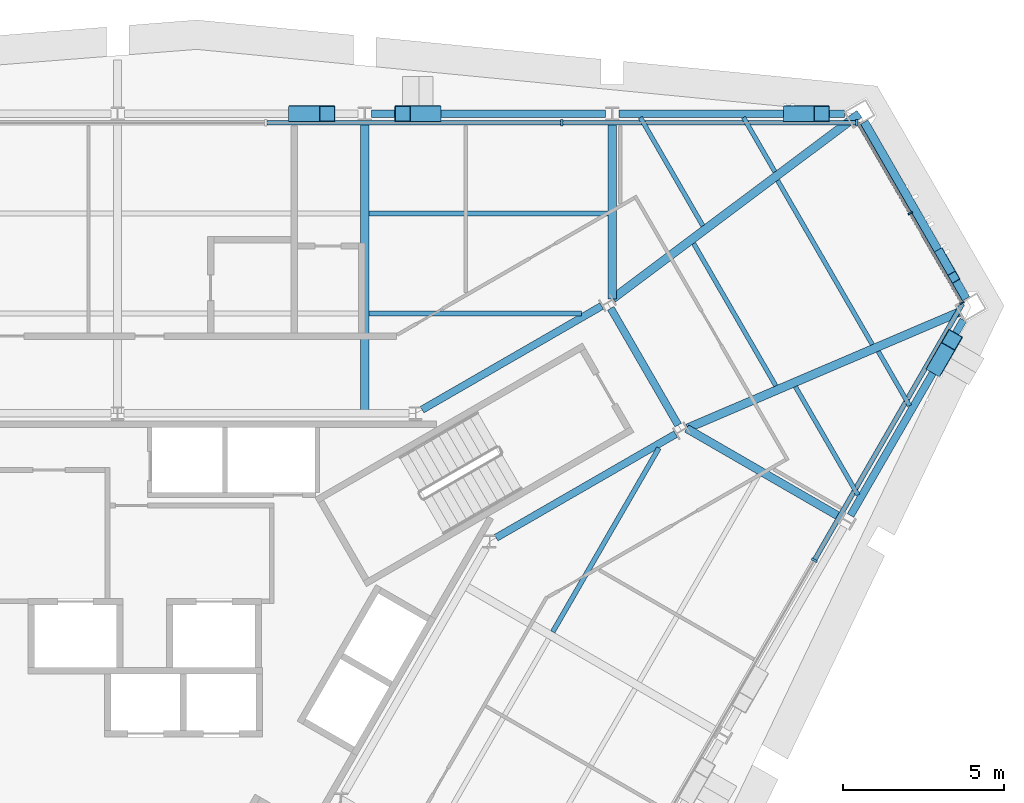
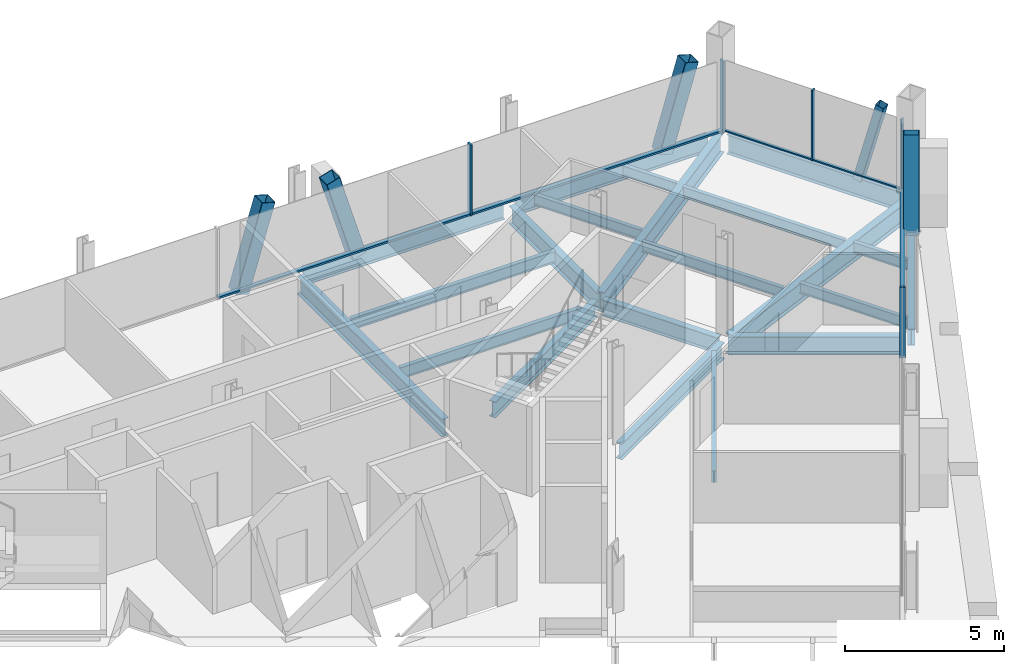
# One storey, part 6 of 13: 21 beams, 15 members, 3 elements without a shape of their own.
"""IFC4 building model written with IfcOpenShell, lengths in metres."""

from ifc_helpers import new_model, si_unit, direction, frame, origin, origin_2d, place, context, subcontext, project, spatial, rectangle, hollow_rectangle, i_section, extrude, material, material_profile, profile_set, type_object, element, aggregate, save


model = new_model("IFC4")

# Units and contexts
model_context = context("Model", 3, precision=1e-05, world=origin(), true_north=direction((0.0, 1.0)))
body_context = subcontext(model_context, "Body", "Model", "MODEL_VIEW")
ifc_project = project(units=[si_unit("LENGTHUNIT", "METRE"), si_unit("AREAUNIT", "SQUARE_METRE"), si_unit("VOLUMEUNIT", "CUBIC_METRE"), si_unit("PLANEANGLEUNIT", "RADIAN"), si_unit("MASSUNIT", "GRAM", prefix="KILO")], contexts=[model_context])

# Site, building, storey
site_placement = place(None, origin())
site = spatial("IfcSite", under=ifc_project, at=site_placement, CompositionType="ELEMENT")
building_placement = place(site_placement, origin())
building = spatial("IfcBuilding", under=site, at=building_placement, Name="Verrane Prism Tower", CompositionType="ELEMENT")
storey_placement = place(building_placement, frame((0.0, 0.0, 167.300048828125)))
storey = spatial("IfcBuildingStorey", under=building, at=storey_placement, Name="L41", CompositionType="ELEMENT", Elevation=167.300048828125)

# Member
ifc_material_1 = material(Name="Steel A500 Grade C", Category="steel")
ifc_material_profile_1 = material_profile(ifc_material_1, hollow_rectangle(XDim=0.3046875, YDim=0.3046875, WallThickness=0.0126953125, InnerFilletRadius=0.00634765625, OuterFilletRadius=0.01904296875, at=origin_2d()), Name="HSS12x12x1/2")
ifc_profile_set_1 = profile_set([ifc_material_profile_1], Name="Steel A500 Grade C")
member_type_1 = type_object("IfcMemberType", Name="Chamfer brace HSS12x12x1/2", PredefinedType="BRACE", material=ifc_profile_set_1)
member_1_placement = place(storey_placement, frame((25.56103515625, 12.948486328125, -0.24267578125), z_axis=(0.129064575456, -0.224136834743, 0.965973609719), x_axis=(0.866595547107, 0.499011179969, 0.0)))
element("IfcMember", 1, at=member_1_placement, inside=storey, type_object=member_type_1, Name="Chamfer brace NE0 L41", PredefinedType="BRACE", context=body_context, shape_type="SweptSolid", body=[
    extrude(hollow_rectangle(XDim=0.3046875, YDim=0.3046875, WallThickness=0.0126953125, InnerFilletRadius=0.00634765625, OuterFilletRadius=0.01904296875, at=origin_2d()), origin(), (0.0, 0.0, 1.0), 3.217529296875),
])

# Beams
ifc_material_2 = material(Name="Steel A992", Category="steel")
ifc_material_profile_2 = material_profile(ifc_material_2, i_section(OverallWidth=0.2666015625, OverallDepth=0.7568359375, WebThickness=0.013916015625, FlangeThickness=0.019287109375, FilletRadius=0.0166015625, at=origin_2d()), Name="W30x108")
ifc_profile_set_2 = profile_set([ifc_material_profile_2], Name="Steel A992")
beam_type_1 = type_object("IfcBeamType", Name="Chamfer spandrel beam W30x108", PredefinedType="SPANDREL", material=ifc_profile_set_2)
beam_1_placement = place(storey_placement, frame((26.3603515625, 11.56005859375, -0.53857421875), z_axis=(-0.498933745764, 0.866640131391, 0.0), x_axis=(-0.866640131391, -0.498933745764, 0.0)))
element("IfcBeam", 2, at=beam_1_placement, inside=storey, type_object=beam_type_1, Name="Chamfer spandrel beam L41", PredefinedType="SPANDREL", context=body_context, shape_type="SweptSolid", body=[
    extrude(i_section(OverallWidth=0.2666015625, OverallDepth=0.7568359375, WebThickness=0.013916015625, FlangeThickness=0.019287109375, FilletRadius=0.0166015625, at=origin_2d()), origin(), (0.0, 0.0, 1.0), 6.334716796875),
])
ifc_material_3 = material(Name="Steel A992", Category="steel")
ifc_material_profile_3 = material_profile(ifc_material_3, i_section(OverallWidth=0.23046875, OverallDepth=0.6171875, WebThickness=0.01318359375, FlangeThickness=0.022216796875, FilletRadius=0.012939453125, at=origin_2d()), Name="W24x94")
ifc_profile_set_3 = profile_set([ifc_material_profile_3], Name="Steel A992")
beam_type_2 = type_object("IfcBeamType", Name="Core ring girder W24x94", PredefinedType="BEAM", material=ifc_profile_set_3)
beam_2_placement = place(storey_placement, frame((11.7607421875, 4.1357421875, -0.55859375), z_axis=(0.866075143088, 0.499913839102, 0.0), x_axis=(-0.499913839102, 0.866075143088, 0.0)))
element("IfcBeam", 3, at=beam_2_placement, inside=storey, type_object=beam_type_2, Name="Core ring girder L41", PredefinedType="BEAM", context=body_context, shape_type="SweptSolid", body=[
    extrude(i_section(OverallWidth=0.23046875, OverallDepth=0.6171875, WebThickness=0.01318359375, FlangeThickness=0.022216796875, FilletRadius=0.012939453125, at=origin_2d()), origin(), (0.0, 0.0, 1.0), 6.441650390625),
])
beam_3_placement = place(storey_placement, frame((17.418212890625, 7.635986328125, -0.55859375), z_axis=(-0.500305747711, 0.865848808284, 0.0), x_axis=(-0.865848808284, -0.500305747711, 0.0)))
element("IfcBeam", 4, at=beam_3_placement, inside=storey, type_object=beam_type_2, Name="Core ring girder L41", PredefinedType="BEAM", context=body_context, shape_type="SweptSolid", body=[
    extrude(i_section(OverallWidth=0.23046875, OverallDepth=0.6171875, WebThickness=0.01318359375, FlangeThickness=0.022216796875, FilletRadius=0.012939453125, at=origin_2d()), origin(), (0.0, 0.0, 1.0), 4.1904296875),
])
beam_4_placement = place(storey_placement, frame((15.03955078125, 11.3359375, -0.55859375), z_axis=(-0.866075143088, -0.499913839102, 0.0), x_axis=(0.499913839102, -0.866075143088, 0.0)))
element("IfcBeam", 5, at=beam_4_placement, inside=storey, type_object=beam_type_2, Name="Core ring girder L41", PredefinedType="BEAM", context=body_context, shape_type="SweptSolid", body=[
    extrude(i_section(OverallWidth=0.23046875, OverallDepth=0.6171875, WebThickness=0.01318359375, FlangeThickness=0.022216796875, FilletRadius=0.012939453125, at=origin_2d()), origin(), (0.0, 0.0, 1.0), 6.441650390625),
])
ifc_material_4 = material(Name="Steel A992", Category="steel")
ifc_material_profile_4 = material_profile(ifc_material_4, i_section(OverallWidth=0.2666015625, OverallDepth=0.76708984375, WebThickness=0.014892578125, FlangeThickness=0.023681640625, FilletRadius=0.0166015625, at=origin_2d()), Name="W30x124")
ifc_profile_set_4 = profile_set([ifc_material_profile_4], Name="Steel A992")
beam_type_3 = type_object("IfcBeamType", Name="Corner girder W30x124", PredefinedType="BEAM", material=ifc_profile_set_4)
beam_5_placement = place(storey_placement, frame((26.139404296875, 11.1416015625, -0.603515625), z_axis=(-0.919628068882, -0.392790293827, 0.0), x_axis=(0.392790293827, -0.919628068882, 0.0)))
element("IfcBeam", 6, at=beam_5_placement, inside=storey, type_object=beam_type_3, Name="Corner girder L41", PredefinedType="BEAM", context=body_context, shape_type="SweptSolid", body=[
    extrude(i_section(OverallWidth=0.2666015625, OverallDepth=0.76708984375, WebThickness=0.014892578125, FlangeThickness=0.023681640625, FilletRadius=0.0166015625, at=origin_2d()), origin(), (0.0, 0.0, 1.0), 9.162841796875),
])
beam_6_placement = place(storey_placement, frame((23.048583984375, 17.308837890625, -0.603515625), z_axis=(-0.800128499961, -0.599828628485, 0.0), x_axis=(0.599828628485, -0.800128499961, 0.0)))
element("IfcBeam", 7, at=beam_6_placement, inside=storey, type_object=beam_type_3, Name="Corner girder L41", PredefinedType="BEAM", context=body_context, shape_type="SweptSolid", body=[
    extrude(i_section(OverallWidth=0.2666015625, OverallDepth=0.76708984375, WebThickness=0.014892578125, FlangeThickness=0.023681640625, FilletRadius=0.0166015625, at=origin_2d()), origin(), (0.0, 0.0, 1.0), 9.57421875),
])

# Members
ifc_material_5 = material(Name="Steel A500 Grade C", Category="steel")
ifc_material_profile_5 = material_profile(ifc_material_5, hollow_rectangle(XDim=0.508056640625, YDim=0.508056640625, WallThickness=0.01904296875, InnerFilletRadius=0.009521484375, OuterFilletRadius=0.028564453125, at=origin_2d()), Name="HSS20x20x3/4")
ifc_profile_set_5 = profile_set([ifc_material_profile_5], Name="Steel A500 Grade C")
member_type_2 = type_object("IfcMemberType", Name="Facade brace HSS20x20x3/4", PredefinedType="BRACE", material=ifc_profile_set_5)
member_2_placement = place(storey_placement, frame((20.930419921875, 17.31005859375, -0.216796875), z_axis=(0.284282806219, 0.0, 0.958740468578), x_axis=(0.0, 1.0, 0.0)))
element("IfcMember", 8, at=member_2_placement, inside=storey, type_object=member_type_2, Name="Facade brace N0 L41", PredefinedType="BRACE", context=body_context, shape_type="SweptSolid", body=[
    extrude(hollow_rectangle(XDim=0.508056640625, YDim=0.508056640625, WallThickness=0.01904296875, InnerFilletRadius=0.009521484375, OuterFilletRadius=0.028564453125, at=origin_2d()), origin(), (0.0, 0.0, 1.0), 3.333740234375),
])
member_3_placement = place(storey_placement, frame((9.802490234375, 17.31005859375, -0.216796875), z_axis=(-0.284619317287, 0.0, 0.958640623084), x_axis=(0.0, -1.0, 0.0)))
element("IfcMember", 9, at=member_3_placement, inside=storey, type_object=member_type_2, Name="Facade brace N1 L41", PredefinedType="BRACE", context=body_context, shape_type="SweptSolid", body=[
    extrude(hollow_rectangle(XDim=0.508056640625, YDim=0.508056640625, WallThickness=0.01904296875, InnerFilletRadius=0.009521484375, OuterFilletRadius=0.028564453125, at=origin_2d()), origin(), (0.0, 0.0, 1.0), 3.334228515625),
])
member_4_placement = place(storey_placement, frame((5.560302734375, 17.31005859375, -0.216796875), z_axis=(0.284350116843, 0.0, 0.958720507265), x_axis=(0.0, 1.0, 0.0)))
element("IfcMember", 10, at=member_4_placement, inside=storey, type_object=member_type_2, Name="Facade brace N2 L41", PredefinedType="BRACE", context=body_context, shape_type="SweptSolid", body=[
    extrude(hollow_rectangle(XDim=0.508056640625, YDim=0.508056640625, WallThickness=0.01904296875, InnerFilletRadius=0.009521484375, OuterFilletRadius=0.028564453125, at=origin_2d()), origin(), (0.0, 0.0, 1.0), 3.333984375),
])
member_5_placement = place(storey_placement, frame((25.4501953125, 9.464599609375, -0.216796875), z_axis=(0.142141174047, 0.246202280858, 0.958738923556), x_axis=(-0.866031159827, 0.499990030109, 0.0)))
element("IfcMember", 11, at=member_5_placement, inside=storey, type_object=member_type_2, Name="Facade brace SE5 L41", PredefinedType="BRACE", context=body_context, shape_type="SweptSolid", body=[
    extrude(hollow_rectangle(XDim=0.508056640625, YDim=0.508056640625, WallThickness=0.01904296875, InnerFilletRadius=0.009521484375, OuterFilletRadius=0.028564453125, at=origin_2d()), origin(), (0.0, 0.0, 1.0), 3.333740234375),
])

# Beams
ifc_material_6 = material(Name="Steel A992", Category="steel")
ifc_material_profile_6 = material_profile(ifc_material_6, i_section(OverallWidth=0.140380859375, OverallDepth=0.40380859375, WebThickness=0.007080078125, FlangeThickness=0.01123046875, FilletRadius=0.01025390625, at=origin_2d()), Name="W16x31")
ifc_profile_set_6 = profile_set([ifc_material_profile_6], Name="Steel A992")
beam_type_4 = type_object("IfcBeamType", Name="Floor beam W16x31", PredefinedType="BEAM", material=ifc_profile_set_6)
beam_7_placement = place(storey_placement, frame((20.4228515625, 15.50634765625, -0.362060546875), z_axis=(-0.49995005938, 0.866054235095, 0.0), x_axis=(-0.866054235095, -0.49995005938, 0.0)))
element("IfcBeam", 12, at=beam_7_placement, inside=storey, type_object=beam_type_4, Name="Floor beam L41", PredefinedType="BEAM", context=body_context, shape_type="SweptSolid", body=[
    extrude(i_section(OverallWidth=0.140380859375, OverallDepth=0.40380859375, WebThickness=0.007080078125, FlangeThickness=0.01123046875, FilletRadius=0.01025390625, at=origin_2d()), origin(), (0.0, 0.0, 1.0), 1.949951171875),
])
beam_8_placement = place(storey_placement, frame((18.18505859375, 13.828125, -0.362060546875), z_axis=(-0.499988811324, 0.866031863473, 0.0), x_axis=(-0.866031863473, -0.499988811324, 0.0)))
element("IfcBeam", 13, at=beam_8_placement, inside=storey, type_object=beam_type_4, Name="Floor beam L41", PredefinedType="BEAM", context=body_context, shape_type="SweptSolid", body=[
    extrude(i_section(OverallWidth=0.140380859375, OverallDepth=0.40380859375, WebThickness=0.007080078125, FlangeThickness=0.01123046875, FilletRadius=0.01025390625, at=origin_2d()), origin(), (0.0, 0.0, 1.0), 3.8876953125),
])
beam_9_placement = place(storey_placement, frame((24.60888671875, 8.23779296875, -0.362060546875), z_axis=(-0.499935549689, 0.866062610991, 0.0), x_axis=(-0.866062610991, -0.499935549689, 0.0)))
element("IfcBeam", 14, at=beam_9_placement, inside=storey, type_object=beam_type_4, Name="Floor beam L41", PredefinedType="BEAM", context=body_context, shape_type="SweptSolid", body=[
    extrude(i_section(OverallWidth=0.140380859375, OverallDepth=0.40380859375, WebThickness=0.007080078125, FlangeThickness=0.01123046875, FilletRadius=0.01025390625, at=origin_2d()), origin(), (0.0, 0.0, 1.0), 1.950439453125),
])
beam_10_placement = place(storey_placement, frame((23.00537109375, 5.460693359375, -0.362060546875), z_axis=(-0.500001430823, 0.866024577697, 0.0), x_axis=(-0.866024577697, -0.500001430823, 0.0)))
element("IfcBeam", 15, at=beam_10_placement, inside=storey, type_object=beam_type_4, Name="Floor beam L41", PredefinedType="BEAM", context=body_context, shape_type="SweptSolid", body=[
    extrude(i_section(OverallWidth=0.140380859375, OverallDepth=0.40380859375, WebThickness=0.007080078125, FlangeThickness=0.01123046875, FilletRadius=0.01025390625, at=origin_2d()), origin(), (0.0, 0.0, 1.0), 3.888671875),
])
beam_11_placement = place(storey_placement, frame((23.450439453125, 10.138916015625, -0.362060546875), z_axis=(-0.499984561422, 0.866034317068, 0.0), x_axis=(-0.866034317068, -0.499984561422, 0.0)))
element("IfcBeam", 16, at=beam_11_placement, inside=storey, type_object=beam_type_4, Name="Floor beam L41", PredefinedType="BEAM", context=body_context, shape_type="SweptSolid", body=[
    extrude(i_section(OverallWidth=0.140380859375, OverallDepth=0.40380859375, WebThickness=0.007080078125, FlangeThickness=0.01123046875, FilletRadius=0.01025390625, at=origin_2d()), origin(), (0.0, 0.0, 1.0), 5.885986328125),
])
beam_12_placement = place(storey_placement, frame((20.450439453125, 8.85791015625, -0.362060546875), z_axis=(-0.499991534382, 0.866030291356, 0.0), x_axis=(-0.866030291356, -0.499991534382, 0.0)))
element("IfcBeam", 17, at=beam_12_placement, inside=storey, type_object=beam_type_4, Name="Floor beam L41", PredefinedType="BEAM", context=body_context, shape_type="SweptSolid", body=[
    extrude(i_section(OverallWidth=0.140380859375, OverallDepth=0.40380859375, WebThickness=0.007080078125, FlangeThickness=0.01123046875, FilletRadius=0.01025390625, at=origin_2d()), origin(), (0.0, 0.0, 1.0), 5.10498046875),
])
ifc_material_7 = material(Name="Steel A992", Category="steel")
ifc_material_profile_7 = material_profile(ifc_material_7, i_section(OverallWidth=0.15234375, OverallDepth=0.449462890625, WebThickness=0.007568359375, FlangeThickness=0.0107421875, FilletRadius=0.01025390625, at=origin_2d()), Name="W18x35")
ifc_profile_set_7 = profile_set([ifc_material_profile_7], Name="Steel A992")
beam_type_5 = type_object("IfcBeamType", Name="Floor beam W18x35", PredefinedType="BEAM", material=ifc_profile_set_7)
beam_13_placement = place(storey_placement, frame((7.806884765625, 11.103271484375, -0.384765625), z_axis=(1.0, 0.0, 0.0), x_axis=(0.0, 1.0, 0.0)))
element("IfcBeam", 18, at=beam_13_placement, inside=storey, type_object=beam_type_5, Name="Floor beam L41", PredefinedType="BEAM", context=body_context, shape_type="SweptSolid", body=[
    extrude(i_section(OverallWidth=0.15234375, OverallDepth=0.449462890625, WebThickness=0.007568359375, FlangeThickness=0.0107421875, FilletRadius=0.01025390625, at=origin_2d()), origin(), (0.0, 0.0, 1.0), 6.599853515625),
])
beam_14_placement = place(storey_placement, frame((7.806884765625, 14.206787109375, -0.384765625), z_axis=(1.0, 0.0, 0.0), x_axis=(0.0, 1.0, 0.0)))
element("IfcBeam", 19, at=beam_14_placement, inside=storey, type_object=beam_type_5, Name="Floor beam L41", PredefinedType="BEAM", context=body_context, shape_type="SweptSolid", body=[
    extrude(i_section(OverallWidth=0.15234375, OverallDepth=0.449462890625, WebThickness=0.007568359375, FlangeThickness=0.0107421875, FilletRadius=0.01025390625, at=origin_2d()), origin(), (0.0, 0.0, 1.0), 7.43603515625),
])
beam_15_placement = place(storey_placement, frame((13.519775390625, 1.210205078125, -0.384765625), z_axis=(0.500012988063, 0.866017904993, 0.0), x_axis=(-0.866017904993, 0.500012988063, 0.0)))
element("IfcBeam", 20, at=beam_15_placement, inside=storey, type_object=beam_type_5, Name="Floor beam L41", PredefinedType="BEAM", context=body_context, shape_type="SweptSolid", body=[
    extrude(i_section(OverallWidth=0.15234375, OverallDepth=0.449462890625, WebThickness=0.007568359375, FlangeThickness=0.0107421875, FilletRadius=0.01025390625, at=origin_2d()), origin(), (0.0, 0.0, 1.0), 6.594970703125),
])

# Curtain wall, members
ifc_material_8 = material(Name="Aluminium framed insulated glazing", Category="aluminium")
curtain_wall_type_1 = type_object("IfcCurtainWallType", Name="Curtain wall CW-C 4200 module", PredefinedType="NOTDEFINED", material=ifc_material_8)
curtain_wall_1_placement = place(storey_placement, origin())
curtain_wall_1 = element("IfcCurtainWall", 21, at=curtain_wall_1_placement, inside=storey, type_object=curtain_wall_type_1, Name="Glazed curtain wall north-east corner L41", PredefinedType="NOTDEFINED")
ifc_material_9 = material(Name="Aluminium alloy 6063-T6", Category="aluminium")
ifc_material_profile_8 = material_profile(ifc_material_9, rectangle(XDim=0.139892578125, YDim=0.050048828125, at=origin_2d()), Name="Mullion 50x140 aluminium")
ifc_profile_set_8 = profile_set([ifc_material_profile_8], Name="Aluminium alloy 6063-T6")
member_type_3 = type_object("IfcMemberType", Name="Mullion 50x140 aluminium", PredefinedType="MULLION", material=ifc_profile_set_8)
member_6_placement = place(storey_placement, frame((26.23876953125, 11.42822265625, 0.0), z_axis=(0.0, 0.0, 1.0), x_axis=(-0.866021993679, -0.50000590643, 0.0)))
member_6 = element("IfcMember", 22, at=member_6_placement, type_object=member_type_3, Name="CW39.1 mullion 1", PredefinedType="MULLION", context=body_context, shape_type="SweptSolid", body=[
    extrude(rectangle(XDim=0.139892578125, YDim=0.050048828125, at=origin_2d()), origin(), (0.0, 0.0, 1.0), 2.712890625),
])
member_7_placement = place(storey_placement, frame((24.627685546875, 14.21875, 0.0), z_axis=(0.0, 0.0, 1.0), x_axis=(-0.866021993679, -0.50000590643, 0.0)))
member_7 = element("IfcMember", 23, at=member_7_placement, type_object=member_type_3, Name="CW39.1 mullion 2", PredefinedType="MULLION", context=body_context, shape_type="SweptSolid", body=[
    extrude(rectangle(XDim=0.139892578125, YDim=0.050048828125, at=origin_2d()), origin(), (0.0, 0.0, 1.0), 2.712890625),
])

ifc_material_10 = material(Name="Aluminium framed insulated glazing", Category="aluminium")
curtain_wall_type_2 = type_object("IfcCurtainWallType", Name="Curtain wall CW-A 8400 module", PredefinedType="NOTDEFINED", material=ifc_material_10)
curtain_wall_2_placement = place(storey_placement, origin())
curtain_wall_2 = element("IfcCurtainWall", 24, at=curtain_wall_2_placement, inside=storey, type_object=curtain_wall_type_2, Name="Glazed curtain wall north face L41", PredefinedType="NOTDEFINED")
ifc_material_11 = material(Name="Aluminium alloy 6063-T6", Category="aluminium")
ifc_material_profile_9 = material_profile(ifc_material_11, rectangle(XDim=0.199951171875, YDim=0.070068359375, at=origin_2d()), Name="Mullion 70x200 aluminium")
ifc_profile_set_9 = profile_set([ifc_material_profile_9], Name="Aluminium alloy 6063-T6")
member_type_4 = type_object("IfcMemberType", Name="Mullion 70x200 aluminium", PredefinedType="MULLION", material=ifc_profile_set_9)
member_8_placement = place(storey_placement, frame((22.968994140625, 17.031005859375, 0.0), z_axis=(0.0, 0.0, 1.0), x_axis=(0.0, -1.0, 0.0)))
member_8 = element("IfcMember", 25, at=member_8_placement, type_object=member_type_4, Name="CW39.2 mullion 1", PredefinedType="MULLION", context=body_context, shape_type="SweptSolid", body=[
    extrude(rectangle(XDim=0.199951171875, YDim=0.070068359375, at=origin_2d()), origin(), (0.0, 0.0, 1.0), 2.712890625),
])
member_9_placement = place(storey_placement, frame((13.802490234375, 17.031005859375, 0.0), z_axis=(0.0, 0.0, 1.0), x_axis=(0.0, -1.0, 0.0)))
member_9 = element("IfcMember", 26, at=member_9_placement, type_object=member_type_4, Name="CW39.2 mullion 2", PredefinedType="MULLION", context=body_context, shape_type="SweptSolid", body=[
    extrude(rectangle(XDim=0.199951171875, YDim=0.070068359375, at=origin_2d()), origin(), (0.0, 0.0, 1.0), 2.712890625),
])

# Curtain wall, member
curtain_wall_3_placement = place(storey_placement, origin())
curtain_wall_3 = element("IfcCurtainWall", 27, at=curtain_wall_3_placement, inside=storey, type_object=curtain_wall_type_2, Name="Glazed curtain wall south-east face L41", PredefinedType="NOTDEFINED")
member_10_placement = place(storey_placement, frame((21.650390625, 3.437744140625, 0.0), z_axis=(0.0, 0.0, 1.0), x_axis=(-0.86602596468, 0.499999028499, 0.0)))
member_10 = element("IfcMember", 28, at=member_10_placement, type_object=member_type_4, Name="CW39.6 mullion 5", PredefinedType="MULLION", context=body_context, shape_type="SweptSolid", body=[
    extrude(rectangle(XDim=0.199951171875, YDim=0.070068359375, at=origin_2d()), origin(), (0.0, 0.0, 1.0), 2.712890625),
])

# Beams
ifc_material_12 = material(Name="Steel A992", Category="steel")
ifc_material_profile_10 = material_profile(ifc_material_12, i_section(OverallWidth=0.25390625, OverallDepth=0.683349609375, WebThickness=0.012451171875, FlangeThickness=0.01904296875, FilletRadius=0.01513671875, at=origin_2d()), Name="W27x94")
ifc_profile_set_10 = profile_set([ifc_material_profile_10], Name="Steel A992")
beam_type_6 = type_object("IfcBeamType", Name="Radial girder W27x94", PredefinedType="BEAM", material=ifc_profile_set_10)
beam_16_placement = place(storey_placement, frame((15.3701171875, 17.0927734375, -0.561767578125), z_axis=(0.0, -1.0, 0.0), x_axis=(1.0, 0.0, 0.0)))
element("IfcBeam", 29, at=beam_16_placement, inside=storey, type_object=beam_type_6, Name="Radial girder L41", PredefinedType="BEAM", context=body_context, shape_type="SweptSolid", body=[
    extrude(i_section(OverallWidth=0.25390625, OverallDepth=0.683349609375, WebThickness=0.012451171875, FlangeThickness=0.01904296875, FilletRadius=0.01513671875, at=origin_2d()), origin(), (0.0, 0.0, 1.0), 5.540283203125),
])
beam_17_placement = place(storey_placement, frame((7.679931640625, 17.0927734375, -0.561767578125), z_axis=(0.0, -1.0, 0.0), x_axis=(1.0, 0.0, 0.0)))
element("IfcBeam", 30, at=beam_17_placement, inside=storey, type_object=beam_type_6, Name="Radial girder L41", PredefinedType="BEAM", context=body_context, shape_type="SweptSolid", body=[
    extrude(i_section(OverallWidth=0.25390625, OverallDepth=0.683349609375, WebThickness=0.012451171875, FlangeThickness=0.01904296875, FilletRadius=0.01513671875, at=origin_2d()), origin(), (0.0, 0.0, 1.0), 9.0927734375),
])
beam_18_placement = place(storey_placement, frame((22.48193359375, 4.758544921875, -0.561767578125), z_axis=(-0.866016849815, 0.500014815617, 0.0), x_axis=(-0.500014815617, -0.866016849815, 0.0)))
element("IfcBeam", 31, at=beam_18_placement, inside=storey, type_object=beam_type_6, Name="Radial girder L41", PredefinedType="BEAM", context=body_context, shape_type="SweptSolid", body=[
    extrude(i_section(OverallWidth=0.25390625, OverallDepth=0.683349609375, WebThickness=0.012451171875, FlangeThickness=0.01904296875, FilletRadius=0.01513671875, at=origin_2d()), origin(), (0.0, 0.0, 1.0), 5.541748046875),
])
ifc_material_13 = material(Name="Steel A992", Category="steel")
ifc_material_profile_11 = material_profile(ifc_material_13, i_section(OverallWidth=0.23046875, OverallDepth=0.6171875, WebThickness=0.01318359375, FlangeThickness=0.022216796875, FilletRadius=0.012939453125, at=origin_2d()), Name="W24x94")
ifc_profile_set_11 = profile_set([ifc_material_profile_11], Name="Steel A992")
beam_type_7 = type_object("IfcBeamType", Name="Spandrel beam W24x94", PredefinedType="SPANDREL", material=ifc_profile_set_11)
beam_19_placement = place(storey_placement, frame((22.588134765625, 17.31005859375, -0.46875), z_axis=(-1.0, 0.0, 0.0), x_axis=(0.0, -1.0, 0.0)))
element("IfcBeam", 32, at=beam_19_placement, inside=storey, type_object=beam_type_7, Name="Spandrel beam L41", PredefinedType="SPANDREL", context=body_context, shape_type="SweptSolid", body=[
    extrude(i_section(OverallWidth=0.23046875, OverallDepth=0.6171875, WebThickness=0.01318359375, FlangeThickness=0.022216796875, FilletRadius=0.012939453125, at=origin_2d()), origin(), (0.0, 0.0, 1.0), 7.012451171875),
])
beam_20_placement = place(storey_placement, frame((15.164306640625, 17.31005859375, -0.46875), z_axis=(-1.0, 0.0, 0.0), x_axis=(0.0, -1.0, 0.0)))
element("IfcBeam", 33, at=beam_20_placement, inside=storey, type_object=beam_type_7, Name="Spandrel beam L41", PredefinedType="SPANDREL", context=body_context, shape_type="SweptSolid", body=[
    extrude(i_section(OverallWidth=0.23046875, OverallDepth=0.6171875, WebThickness=0.01318359375, FlangeThickness=0.022216796875, FilletRadius=0.012939453125, at=origin_2d()), origin(), (0.0, 0.0, 1.0), 7.278564453125),
])
beam_21_placement = place(storey_placement, frame((22.77294921875, 4.828125, -0.46875), z_axis=(0.5000600333, 0.865990740768, 0.0), x_axis=(-0.865990740768, 0.5000600333, 0.0)))
element("IfcBeam", 34, at=beam_21_placement, inside=storey, type_object=beam_type_7, Name="Spandrel beam L41", PredefinedType="SPANDREL", context=body_context, shape_type="SweptSolid", body=[
    extrude(i_section(OverallWidth=0.23046875, OverallDepth=0.6171875, WebThickness=0.01318359375, FlangeThickness=0.022216796875, FilletRadius=0.012939453125, at=origin_2d()), origin(), (0.0, 0.0, 1.0), 7.011474609375),
])

# Member
ifc_material_14 = material(Name="Aluminium alloy 6063-T6", Category="aluminium")
ifc_material_profile_12 = material_profile(ifc_material_14, rectangle(XDim=0.10009765625, YDim=0.050048828125, at=origin_2d()), Name="Transom 50x100 aluminium")
ifc_profile_set_12 = profile_set([ifc_material_profile_12], Name="Aluminium alloy 6063-T6")
member_type_5 = type_object("IfcMemberType", Name="Transom 50x100 aluminium", PredefinedType="USERDEFINED", material=ifc_profile_set_12)
member_11_placement = place(storey_placement, frame((26.226318359375, 11.449951171875, 0.02490234375), z_axis=(-0.500004468681, 0.866022823775, 0.0), x_axis=(-0.866022823775, -0.500004468681, 0.0)))
member_11 = element("IfcMember", 35, at=member_11_placement, type_object=member_type_5, Name="CW39.1 transom 1", ObjectType="TRANSOM", PredefinedType="USERDEFINED", context=body_context, shape_type="SweptSolid", body=[
    extrude(rectangle(XDim=0.10009765625, YDim=0.050048828125, at=origin_2d()), origin(), (0.0, 0.0, 1.0), 3.17236328125),
])

member_12_placement = place(storey_placement, frame((24.615234375, 14.240478515625, 0.02490234375), z_axis=(-0.50005036918, 0.865996321171, 0.0), x_axis=(-0.865996321171, -0.50005036918, 0.0)))
member_12 = element("IfcMember", 36, at=member_12_placement, type_object=member_type_5, Name="CW39.1 transom 2", ObjectType="TRANSOM", PredefinedType="USERDEFINED", context=body_context, shape_type="SweptSolid", body=[
    extrude(rectangle(XDim=0.10009765625, YDim=0.050048828125, at=origin_2d()), origin(), (0.0, 0.0, 1.0), 3.222412109375),
])

aggregate(curtain_wall_1, [member_6, member_7, member_11, member_12])

ifc_material_15 = material(Name="Aluminium alloy 6063-T6", Category="aluminium")
ifc_material_profile_13 = material_profile(ifc_material_15, rectangle(XDim=0.14990234375, YDim=0.070068359375, at=origin_2d()), Name="Transom 70x150 aluminium")
ifc_profile_set_13 = profile_set([ifc_material_profile_13], Name="Aluminium alloy 6063-T6")
member_type_6 = type_object("IfcMemberType", Name="Transom 70x150 aluminium", PredefinedType="USERDEFINED", material=ifc_profile_set_13)
member_13_placement = place(storey_placement, frame((22.93408203125, 17.031005859375, 0.034912109375), z_axis=(-1.0, 0.0, 0.0), x_axis=(0.0, -1.0, 0.0)))
member_13 = element("IfcMember", 37, at=member_13_placement, type_object=member_type_6, Name="CW39.2 transom 1", ObjectType="TRANSOM", PredefinedType="USERDEFINED", context=body_context, shape_type="SweptSolid", body=[
    extrude(rectangle(XDim=0.14990234375, YDim=0.070068359375, at=origin_2d()), origin(), (0.0, 0.0, 1.0), 9.0966796875),
])

member_14_placement = place(storey_placement, frame((13.767333984375, 17.031005859375, 0.034912109375), z_axis=(-1.0, 0.0, 0.0), x_axis=(0.0, -1.0, 0.0)))
member_14 = element("IfcMember", 38, at=member_14_placement, type_object=member_type_6, Name="CW39.2 transom 2", ObjectType="TRANSOM", PredefinedType="USERDEFINED", context=body_context, shape_type="SweptSolid", body=[
    extrude(rectangle(XDim=0.14990234375, YDim=0.070068359375, at=origin_2d()), origin(), (0.0, 0.0, 1.0), 9.131591796875),
])

aggregate(curtain_wall_2, [member_8, member_9, member_13, member_14])

member_15_placement = place(storey_placement, frame((21.66796875, 3.468017578125, 0.034912109375), z_axis=(0.499997575924, 0.866026803321, 0.0), x_axis=(-0.866026803321, 0.499997575924, 0.0)))
member_15 = element("IfcMember", 39, at=member_15_placement, type_object=member_type_6, Name="CW39.6 transom 5", ObjectType="TRANSOM", PredefinedType="USERDEFINED", context=body_context, shape_type="SweptSolid", body=[
    extrude(rectangle(XDim=0.14990234375, YDim=0.070068359375, at=origin_2d()), origin(), (0.0, 0.0, 1.0), 9.16650390625),
])

aggregate(curtain_wall_3, [member_10, member_15])

save(model, "model.ifc")
